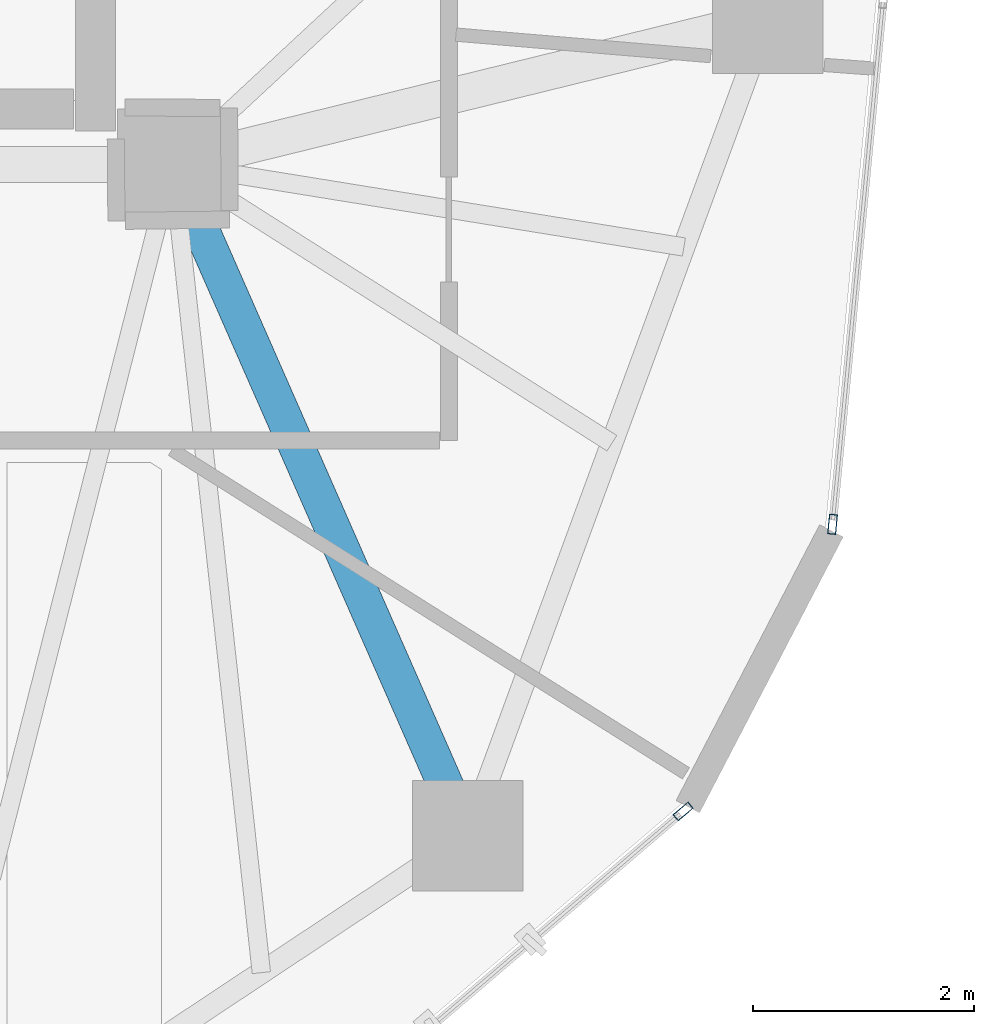
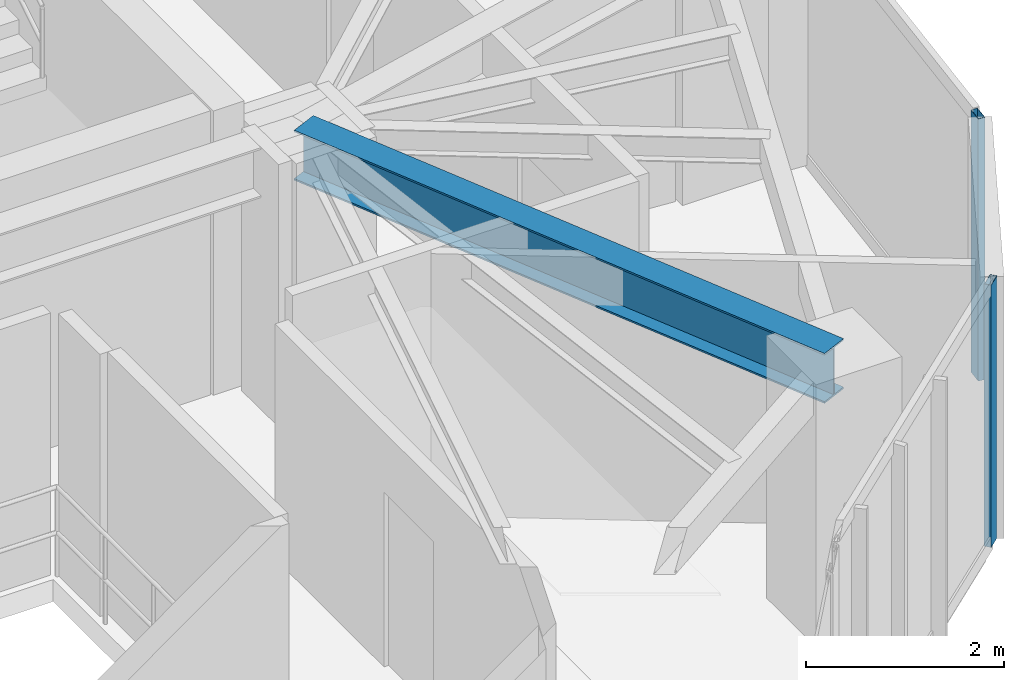
# One storey, part 6 of 20: 2 members, 1 beam, 2 elements without a shape of their own.
"""IFC4 building model written with IfcOpenShell, lengths in metres."""

from ifc_helpers import new_model, si_unit, direction, frame, origin, origin_2d, place, context, subcontext, project, spatial, hollow_rectangle, i_section, extrude, source, transform, mapped, material, layer, layer_set, material_profile, profile_set, type_object, type_shapes, element, aggregate, save


model = new_model("IFC4")

# Units and contexts
model_context = context("Model", 3, precision=1e-05, world=origin(), true_north=direction((0.0, 1.0)))
body_context = subcontext(model_context, "Body", "Model", "MODEL_VIEW")
ifc_project = project(units=[si_unit("LENGTHUNIT", "METRE"), si_unit("AREAUNIT", "SQUARE_METRE"), si_unit("VOLUMEUNIT", "CUBIC_METRE"), si_unit("PLANEANGLEUNIT", "RADIAN"), si_unit("MASSUNIT", "GRAM", prefix="KILO")], contexts=[model_context])

# Site, building, storey
site_placement = place(None, origin())
site = spatial("IfcSite", under=ifc_project, at=site_placement, CompositionType="ELEMENT")
building_placement = place(site_placement, origin())
building = spatial("IfcBuilding", under=site, at=building_placement, Name="Talar Marvaseh", CompositionType="ELEMENT")
storey_placement = place(building_placement, frame((0.0, 0.0, 211.699951171875)))
storey = spatial("IfcBuildingStorey", under=building, at=storey_placement, Name="L55", CompositionType="ELEMENT", Elevation=211.699951171875)

# Beam
ifc_material_1 = material(Name="Steel S355", Category="steel")
ifc_material_profile_1 = material_profile(ifc_material_1, i_section(OverallWidth=0.324951171875, OverallDepth=0.615966796875, WebThickness=0.013916015625, FlangeThickness=0.021484375, at=origin_2d()), Name="W610x174")
ifc_profile_set_1 = profile_set([ifc_material_profile_1], Name="Steel S355")
beam_type = type_object("IfcBeamType", Name="Zone 3 Radial Floor Girder W610x174", PredefinedType="BEAM", material=ifc_profile_set_1)
beam_placement = place(storey_placement, frame((35.970947265625, 19.423095703125, 2.922119140625), z_axis=(-0.402367581672, 0.91547819702, 0.0), x_axis=(-0.91547819702, -0.402367581672, 0.0)))
element("IfcBeam", 1, at=beam_placement, inside=storey, type_object=beam_type, Name="L55 Zone 3 Radial Floor Girder W610x174", PredefinedType="BEAM", context=body_context, shape_type="SweptSolid", body=[
    extrude(i_section(OverallWidth=0.324951171875, OverallDepth=0.615966796875, WebThickness=0.013916015625, FlangeThickness=0.021484375, at=origin_2d()), origin(), (0.0, 0.0, 1.0), 6.637939453125),
])

# Curtain wall, member
ifc_material_2 = material(Name="Architectural Aluminium", Category="aluminium")
ifc_layer = layer(ifc_material_2, 0.18994140625)
ifc_layer_set = layer_set([ifc_layer], Name="Architectural Aluminium")
curtain_wall_type = type_object("IfcCurtainWallType", Name="Unitised Solar Atelier Curtain Wall Z3", PredefinedType="NOTDEFINED", material=ifc_layer_set)
curtain_wall_1_placement = place(storey_placement, origin())
curtain_wall_1 = element("IfcCurtainWall", 2, at=curtain_wall_1_placement, inside=storey, type_object=curtain_wall_type, Name="L55 Unitised Solar Atelier Curtain Wall Z3", PredefinedType="NOTDEFINED")
ifc_material_profile_2 = material_profile(ifc_material_2, hollow_rectangle(XDim=0.074951171875, YDim=0.179931640625, WallThickness=0.0048828125, at=origin_2d()), Name="RHS180x75x5")
ifc_profile_set_2 = profile_set([ifc_material_profile_2], Name="Architectural Aluminium")
member_type = type_object("IfcMemberType", Name="Unitised Curtain Wall Standard Mullion RHS180x75x5", PredefinedType="MULLION", material=ifc_profile_set_2)
shared_shape = source(origin(), body_context, "Body", "SweptSolid", [
    extrude(hollow_rectangle(XDim=0.074951171875, YDim=0.179931640625, WallThickness=0.0048828125, at=origin_2d()), origin(), (0.0, 0.0, 1.0), 3.22998046875),
])
type_shapes(member_type, [shared_shape])
member_1_placement = place(storey_placement, frame((39.273681640625, 22.241455078125, 0.0), z_axis=(0.0, 0.0, 1.0), x_axis=(0.995381660069, -0.095996618681, 0.0)))
member_1 = element("IfcMember", 3, at=member_1_placement, type_object=member_type, Name="CW-Z3 mullion 5", PredefinedType="MULLION", context=body_context, shape_type="MappedRepresentation", body=[
    mapped(shared_shape, transform((0.0, 0.0, 0.0), x_axis=(1.0, 0.0, 0.0), y_axis=(0.0, 1.0, 0.0), z_axis=(0.0, 0.0, 1.0), scale=1.0)),
])
aggregate(curtain_wall_1, [member_1])

curtain_wall_2_placement = place(storey_placement, origin())
curtain_wall_2 = element("IfcCurtainWall", 4, at=curtain_wall_2_placement, inside=storey, type_object=curtain_wall_type, Name="L55 Unitised Solar Atelier Curtain Wall Z3", PredefinedType="NOTDEFINED")
member_2_placement = place(storey_placement, frame((37.9208984375, 19.642822265625, 0.0), z_axis=(0.0, 0.0, 1.0), x_axis=(0.649564719149, -0.760306303826, 0.0)))
member_2 = element("IfcMember", 5, at=member_2_placement, type_object=member_type, Name="CW-Z3 mullion 1", PredefinedType="MULLION", context=body_context, shape_type="MappedRepresentation", body=[
    mapped(shared_shape, transform((0.0, 0.0, 0.0), x_axis=(1.0, 0.0, 0.0), y_axis=(0.0, 1.0, 0.0), z_axis=(0.0, 0.0, 1.0), scale=1.0)),
])
aggregate(curtain_wall_2, [member_2])

save(model, "model.ifc")
